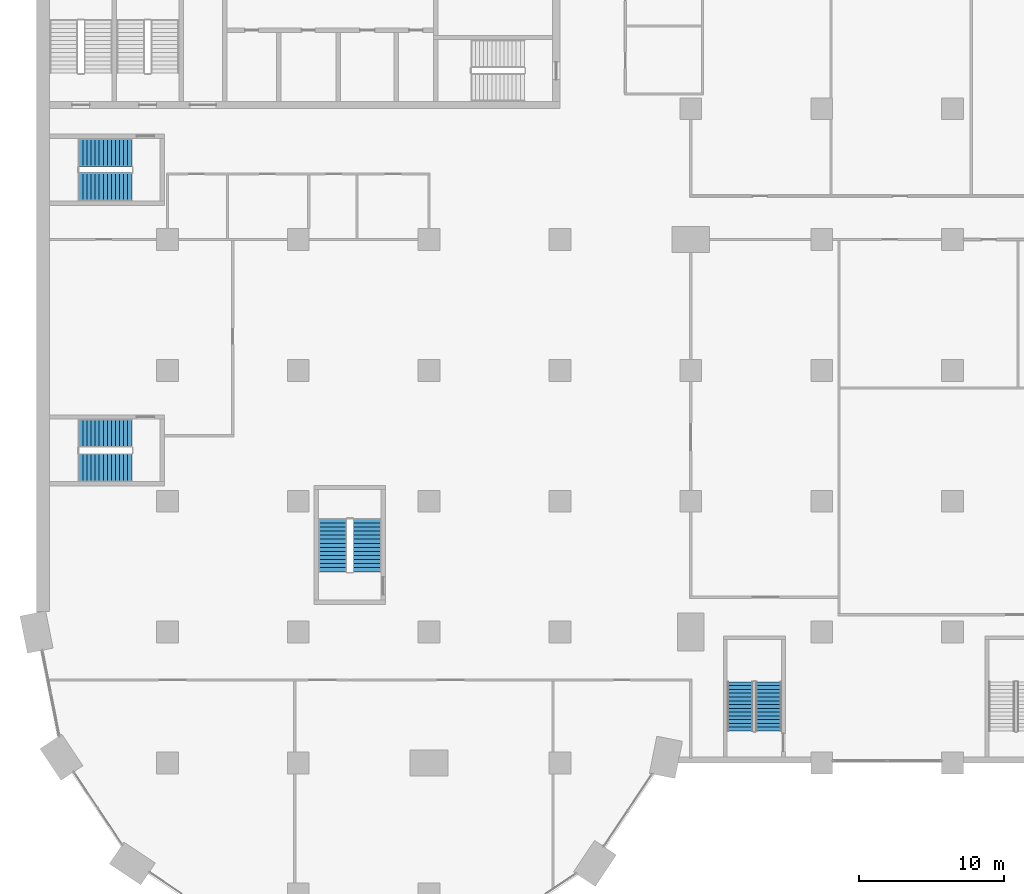
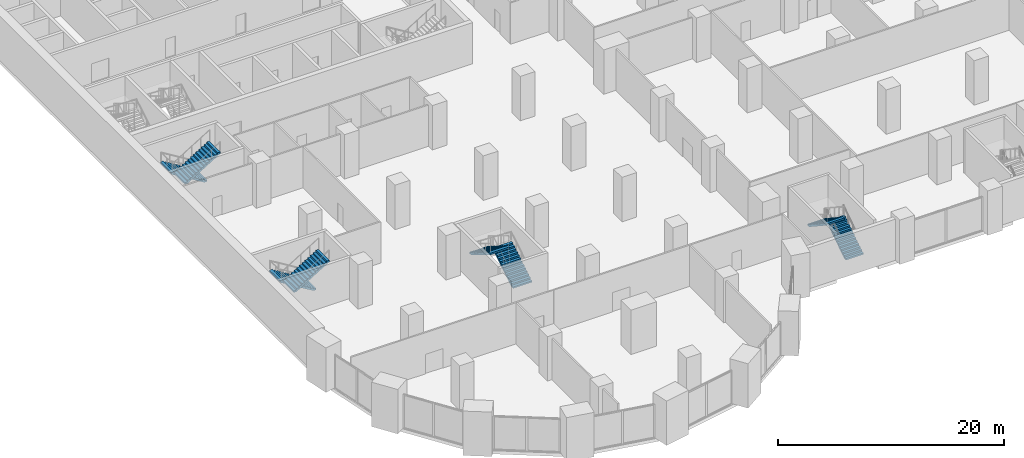
# One storey, part 21 of 31: 8 stair flights, 4 elements without a shape of their own.
"""IFC4 building model written with IfcOpenShell, lengths in metres."""

from ifc_helpers import new_model, si_unit, direction, frame, origin, place, context, subcontext, project, spatial, polyline, outline, extrude, material, type_object, element, aggregate, save


model = new_model("IFC4")

# Units and contexts
model_context = context("Model", 3, precision=1e-05, world=origin(), true_north=direction((0.0, 1.0)))
body_context = subcontext(model_context, "Body", "Model", "MODEL_VIEW")
ifc_project = project(units=[si_unit("LENGTHUNIT", "METRE"), si_unit("AREAUNIT", "SQUARE_METRE"), si_unit("VOLUMEUNIT", "CUBIC_METRE"), si_unit("PLANEANGLEUNIT", "RADIAN"), si_unit("MASSUNIT", "GRAM", prefix="KILO")], contexts=[model_context])

# Site, building, storey
site_placement = place(None, origin())
site = spatial("IfcSite", under=ifc_project, at=site_placement, CompositionType="ELEMENT")
building_placement = place(site_placement, origin())
building = spatial("IfcBuilding", under=site, at=building_placement, Name="Hunhe Ridgeline Campus", CompositionType="ELEMENT")
storey_placement = place(building_placement, frame((0.0, 0.0, 16.800048828125)))
storey = spatial("IfcBuildingStorey", under=building, at=storey_placement, Name="L03", CompositionType="ELEMENT", Elevation=16.800048828125)

# Stair, stair flights
ifc_material = material(Name="Concrete C40", Category="concrete")
stair_type_1 = type_object("IfcStairType", Name="Podium exit stair 1800", PredefinedType="HALF_TURN_STAIR", material=ifc_material)
stair_1_placement = place(storey_placement, origin())
stair_1 = element("IfcStair", 1, at=stair_1_placement, inside=storey, type_object=stair_type_1, Name="L03 podium stair PS1", PredefinedType="HALF_TURN_STAIR")
stair_flight_type_1 = type_object("IfcStairFlightType", Name="Podium stair flight 1800", PredefinedType="STRAIGHT", material=ifc_material)
stair_flight_1_placement = place(storey_placement, frame((50.35009765625, 20.199951171875, 0.0), z_axis=(0.0, 0.0, 1.0), x_axis=(0.0, 1.0, 0.0)))
stair_flight_1 = element("IfcStairFlight", 2, at=stair_flight_1_placement, type_object=stair_flight_type_1, Name="PS1 flight 1", NumberOfRisers=14, NumberOfTreads=13, PredefinedType="STRAIGHT", RiserHeight=0.171428571, TreadLength=0.26, context=body_context, shape_type="SweptSolid", body=[
    extrude(outline(polyline([(0.0, 0.0), (0.0, 0.17138671875), (0.260009765625, 0.17138671875), (0.260009765625, 0.3427734375), (0.52001953125, 0.3427734375), (0.52001953125, 0.514404296875), (0.780029296875, 0.514404296875), (0.780029296875, 0.685791015625), (1.0400390625, 0.685791015625), (1.0400390625, 0.857177734375), (1.300048828125, 0.857177734375), (1.300048828125, 1.028564453125), (1.56005859375, 1.028564453125), (1.56005859375, 1.199951171875), (1.820068359375, 1.199951171875), (1.820068359375, 1.371337890625), (2.080078125, 1.371337890625), (2.080078125, 1.54296875), (2.340087890625, 1.54296875), (2.340087890625, 1.71435546875), (2.60009765625, 1.71435546875), (2.60009765625, 1.8857421875), (2.860107421875, 1.8857421875), (2.860107421875, 2.05712890625), (3.1201171875, 2.05712890625), (3.1201171875, 2.228515625), (3.3798828125, 2.228515625), (3.3798828125, 2.39990234375), (3.3798828125, 2.049072265625), (0.272216796875, 0.0), (0.0, 0.0)])), frame((0.0, 0.89990234375, 0.0), z_axis=(0.0, -1.0, 0.0), x_axis=(1.0, 0.0, 0.0)), (0.0, 0.0, 1.0), 1.800048828125),
])
stair_flight_2_placement = place(storey_placement, frame((48.39990234375, 23.580078125, 2.39990234375), z_axis=(0.0, 0.0, 1.0), x_axis=(0.0, -1.0, 0.0)))
stair_flight_2 = element("IfcStairFlight", 3, at=stair_flight_2_placement, type_object=stair_flight_type_1, Name="PS1 flight 2", NumberOfRisers=14, NumberOfTreads=13, PredefinedType="STRAIGHT", RiserHeight=0.171428571, TreadLength=0.26, context=body_context, shape_type="SweptSolid", body=[
    extrude(outline(polyline([(0.0, 0.0), (0.0, 0.17138671875), (0.260009765625, 0.17138671875), (0.260009765625, 0.3427734375), (0.52001953125, 0.3427734375), (0.52001953125, 0.514404296875), (0.780029296875, 0.514404296875), (0.780029296875, 0.685791015625), (1.0400390625, 0.685791015625), (1.0400390625, 0.857177734375), (1.300048828125, 0.857177734375), (1.300048828125, 1.028564453125), (1.56005859375, 1.028564453125), (1.56005859375, 1.199951171875), (1.820068359375, 1.199951171875), (1.820068359375, 1.371337890625), (2.080078125, 1.371337890625), (2.080078125, 1.54296875), (2.340087890625, 1.54296875), (2.340087890625, 1.71435546875), (2.60009765625, 1.71435546875), (2.60009765625, 1.8857421875), (2.860107421875, 1.8857421875), (2.860107421875, 2.05712890625), (3.1201171875, 2.05712890625), (3.1201171875, 2.228515625), (3.3798828125, 2.228515625), (3.3798828125, 2.39990234375), (3.3798828125, 2.049072265625), (0.272216796875, 0.0), (0.0, 0.0)])), frame((0.0, 0.89990234375, 0.0), z_axis=(0.0, -1.0, 0.0), x_axis=(1.0, 0.0, 0.0)), (0.0, 0.0, 1.0), 1.800048828125),
])
aggregate(stair_1, [stair_flight_1, stair_flight_2])

stair_type_2 = type_object("IfcStairType", Name="Reinforced concrete dog-leg stair 1950 Concrete C40", PredefinedType="HALF_TURN_STAIR", material=ifc_material)
stair_2_placement = place(storey_placement, origin())
stair_2 = element("IfcStair", 4, at=stair_2_placement, inside=storey, type_object=stair_type_2, Name="L03 W3", PredefinedType="HALF_TURN_STAIR")
stair_flight_type_2 = type_object("IfcStairFlightType", Name="Reinforced concrete stair flight 1950 Concrete C40", PredefinedType="STRAIGHT", material=ifc_material)
stair_flight_3_placement = place(storey_placement, frame((22.72509765625, 31.14990234375, 0.0), z_axis=(0.0, 0.0, 1.0), x_axis=(0.0, 1.0, 0.0)))
stair_flight_3 = element("IfcStairFlight", 5, at=stair_flight_3_placement, type_object=stair_flight_type_2, Name="ST9 flight 1", NumberOfRisers=14, NumberOfTreads=13, PredefinedType="STRAIGHT", RiserHeight=0.171428571, TreadLength=0.28, context=body_context, shape_type="SweptSolid", body=[
    extrude(outline(polyline([(0.0, 0.0), (0.0, 0.17138671875), (0.280029296875, 0.17138671875), (0.280029296875, 0.3427734375), (0.56005859375, 0.3427734375), (0.56005859375, 0.514404296875), (0.840087890625, 0.514404296875), (0.840087890625, 0.685791015625), (1.1201171875, 0.685791015625), (1.1201171875, 0.857177734375), (1.39990234375, 0.857177734375), (1.39990234375, 1.028564453125), (1.679931640625, 1.028564453125), (1.679931640625, 1.199951171875), (1.9599609375, 1.199951171875), (1.9599609375, 1.371337890625), (2.239990234375, 1.371337890625), (2.239990234375, 1.54296875), (2.52001953125, 1.54296875), (2.52001953125, 1.71435546875), (2.800048828125, 1.71435546875), (2.800048828125, 1.8857421875), (3.080078125, 1.8857421875), (3.080078125, 2.05712890625), (3.360107421875, 2.05712890625), (3.360107421875, 2.228515625), (3.639892578125, 2.228515625), (3.639892578125, 2.39990234375), (3.639892578125, 2.052734375), (0.287109375, 0.0), (0.0, 0.0)])), frame((0.0, 0.97509765625, 0.0), z_axis=(0.0, -1.0, 0.0), x_axis=(1.0, 0.0, 0.0)), (0.0, 0.0, 1.0), 1.949951171875),
    extrude(outline(polyline([(0.030029296875, 0.030029296875), (0.030029296875, 0.141357421875), (0.31005859375, 0.141357421875), (0.31005859375, 0.31298828125), (0.590087890625, 0.31298828125), (0.590087890625, 0.484375), (0.8701171875, 0.484375), (0.8701171875, 0.65576171875), (1.14990234375, 0.65576171875), (1.14990234375, 0.8271484375), (1.429931640625, 0.8271484375), (1.429931640625, 0.99853515625), (1.7099609375, 0.99853515625), (1.7099609375, 1.169921875), (1.989990234375, 1.169921875), (1.989990234375, 1.34130859375), (2.27001953125, 1.34130859375), (2.27001953125, 1.512939453125), (2.550048828125, 1.512939453125), (2.550048828125, 1.684326171875), (2.830078125, 1.684326171875), (2.830078125, 1.855712890625), (3.110107421875, 1.855712890625), (3.110107421875, 2.027099609375), (3.389892578125, 2.027099609375), (3.389892578125, 2.198486328125), (3.610107421875, 2.198486328125), (3.610107421875, 2.069580078125), (0.278564453125, 0.030029296875), (0.030029296875, 0.030029296875)])), frame((0.0, -0.070068359375, 0.0), z_axis=(0.0, -1.0, 0.0), x_axis=(1.0, 0.0, 0.0)), (0.0, 0.0, 1.0), 0.019775390625),
    extrude(outline(polyline([(0.030029296875, 0.030029296875), (0.030029296875, 0.141357421875), (0.31005859375, 0.141357421875), (0.31005859375, 0.31298828125), (0.590087890625, 0.31298828125), (0.590087890625, 0.484375), (0.8701171875, 0.484375), (0.8701171875, 0.65576171875), (1.14990234375, 0.65576171875), (1.14990234375, 0.8271484375), (1.429931640625, 0.8271484375), (1.429931640625, 0.99853515625), (1.7099609375, 0.99853515625), (1.7099609375, 1.169921875), (1.989990234375, 1.169921875), (1.989990234375, 1.34130859375), (2.27001953125, 1.34130859375), (2.27001953125, 1.512939453125), (2.550048828125, 1.512939453125), (2.550048828125, 1.684326171875), (2.830078125, 1.684326171875), (2.830078125, 1.855712890625), (3.110107421875, 1.855712890625), (3.110107421875, 2.027099609375), (3.389892578125, 2.027099609375), (3.389892578125, 2.198486328125), (3.610107421875, 2.198486328125), (3.610107421875, 2.069580078125), (0.278564453125, 0.030029296875), (0.030029296875, 0.030029296875)])), frame((0.0, 0.010009765625, 0.0), z_axis=(0.0, -1.0, 0.0), x_axis=(1.0, 0.0, 0.0)), (0.0, 0.0, 1.0), 0.019775390625),
    extrude(outline(polyline([(0.030029296875, 0.030029296875), (0.030029296875, 0.141357421875), (0.31005859375, 0.141357421875), (0.31005859375, 0.31298828125), (0.590087890625, 0.31298828125), (0.590087890625, 0.484375), (0.8701171875, 0.484375), (0.8701171875, 0.65576171875), (1.14990234375, 0.65576171875), (1.14990234375, 0.8271484375), (1.429931640625, 0.8271484375), (1.429931640625, 0.99853515625), (1.7099609375, 0.99853515625), (1.7099609375, 1.169921875), (1.989990234375, 1.169921875), (1.989990234375, 1.34130859375), (2.27001953125, 1.34130859375), (2.27001953125, 1.512939453125), (2.550048828125, 1.512939453125), (2.550048828125, 1.684326171875), (2.830078125, 1.684326171875), (2.830078125, 1.855712890625), (3.110107421875, 1.855712890625), (3.110107421875, 2.027099609375), (3.389892578125, 2.027099609375), (3.389892578125, 2.198486328125), (3.610107421875, 2.198486328125), (3.610107421875, 2.069580078125), (0.278564453125, 0.030029296875), (0.030029296875, 0.030029296875)])), frame((0.0, 0.090087890625, 0.0), z_axis=(0.0, -1.0, 0.0), x_axis=(1.0, 0.0, 0.0)), (0.0, 0.0, 1.0), 0.019775390625),
])
stair_flight_4_placement = place(storey_placement, frame((20.375, 34.7900390625, 2.39990234375), z_axis=(0.0, 0.0, 1.0), x_axis=(0.0, -1.0, 0.0)))
stair_flight_4 = element("IfcStairFlight", 6, at=stair_flight_4_placement, type_object=stair_flight_type_2, Name="ST9 flight 2", NumberOfRisers=14, NumberOfTreads=13, PredefinedType="STRAIGHT", RiserHeight=0.171428571, TreadLength=0.28, context=body_context, shape_type="SweptSolid", body=[
    extrude(outline(polyline([(0.0, 0.0), (0.0, 0.17138671875), (0.280029296875, 0.17138671875), (0.280029296875, 0.3427734375), (0.56005859375, 0.3427734375), (0.56005859375, 0.514404296875), (0.840087890625, 0.514404296875), (0.840087890625, 0.685791015625), (1.1201171875, 0.685791015625), (1.1201171875, 0.857177734375), (1.39990234375, 0.857177734375), (1.39990234375, 1.028564453125), (1.679931640625, 1.028564453125), (1.679931640625, 1.199951171875), (1.9599609375, 1.199951171875), (1.9599609375, 1.371337890625), (2.239990234375, 1.371337890625), (2.239990234375, 1.54296875), (2.52001953125, 1.54296875), (2.52001953125, 1.71435546875), (2.800048828125, 1.71435546875), (2.800048828125, 1.8857421875), (3.080078125, 1.8857421875), (3.080078125, 2.05712890625), (3.360107421875, 2.05712890625), (3.360107421875, 2.228515625), (3.639892578125, 2.228515625), (3.639892578125, 2.39990234375), (3.639892578125, 2.052734375), (0.287109375, 0.0), (0.0, 0.0)])), frame((0.0, 0.97509765625, 0.0), z_axis=(0.0, -1.0, 0.0), x_axis=(1.0, 0.0, 0.0)), (0.0, 0.0, 1.0), 1.949951171875),
    extrude(outline(polyline([(0.030029296875, 0.030029296875), (0.030029296875, 0.141357421875), (0.31005859375, 0.141357421875), (0.31005859375, 0.31298828125), (0.590087890625, 0.31298828125), (0.590087890625, 0.484375), (0.8701171875, 0.484375), (0.8701171875, 0.65576171875), (1.14990234375, 0.65576171875), (1.14990234375, 0.8271484375), (1.429931640625, 0.8271484375), (1.429931640625, 0.99853515625), (1.7099609375, 0.99853515625), (1.7099609375, 1.169921875), (1.989990234375, 1.169921875), (1.989990234375, 1.34130859375), (2.27001953125, 1.34130859375), (2.27001953125, 1.512939453125), (2.550048828125, 1.512939453125), (2.550048828125, 1.684326171875), (2.830078125, 1.684326171875), (2.830078125, 1.855712890625), (3.110107421875, 1.855712890625), (3.110107421875, 2.027099609375), (3.389892578125, 2.027099609375), (3.389892578125, 2.198486328125), (3.610107421875, 2.198486328125), (3.610107421875, 2.069580078125), (0.278564453125, 0.030029296875), (0.030029296875, 0.030029296875)])), frame((0.0, -0.070068359375, 0.0), z_axis=(0.0, -1.0, 0.0), x_axis=(1.0, 0.0, 0.0)), (0.0, 0.0, 1.0), 0.019775390625),
    extrude(outline(polyline([(0.030029296875, 0.030029296875), (0.030029296875, 0.141357421875), (0.31005859375, 0.141357421875), (0.31005859375, 0.31298828125), (0.590087890625, 0.31298828125), (0.590087890625, 0.484375), (0.8701171875, 0.484375), (0.8701171875, 0.65576171875), (1.14990234375, 0.65576171875), (1.14990234375, 0.8271484375), (1.429931640625, 0.8271484375), (1.429931640625, 0.99853515625), (1.7099609375, 0.99853515625), (1.7099609375, 1.169921875), (1.989990234375, 1.169921875), (1.989990234375, 1.34130859375), (2.27001953125, 1.34130859375), (2.27001953125, 1.512939453125), (2.550048828125, 1.512939453125), (2.550048828125, 1.684326171875), (2.830078125, 1.684326171875), (2.830078125, 1.855712890625), (3.110107421875, 1.855712890625), (3.110107421875, 2.027099609375), (3.389892578125, 2.027099609375), (3.389892578125, 2.198486328125), (3.610107421875, 2.198486328125), (3.610107421875, 2.069580078125), (0.278564453125, 0.030029296875), (0.030029296875, 0.030029296875)])), frame((0.0, 0.010009765625, 0.0), z_axis=(0.0, -1.0, 0.0), x_axis=(1.0, 0.0, 0.0)), (0.0, 0.0, 1.0), 0.019775390625),
    extrude(outline(polyline([(0.030029296875, 0.030029296875), (0.030029296875, 0.141357421875), (0.31005859375, 0.141357421875), (0.31005859375, 0.31298828125), (0.590087890625, 0.31298828125), (0.590087890625, 0.484375), (0.8701171875, 0.484375), (0.8701171875, 0.65576171875), (1.14990234375, 0.65576171875), (1.14990234375, 0.8271484375), (1.429931640625, 0.8271484375), (1.429931640625, 0.99853515625), (1.7099609375, 0.99853515625), (1.7099609375, 1.169921875), (1.989990234375, 1.169921875), (1.989990234375, 1.34130859375), (2.27001953125, 1.34130859375), (2.27001953125, 1.512939453125), (2.550048828125, 1.512939453125), (2.550048828125, 1.684326171875), (2.830078125, 1.684326171875), (2.830078125, 1.855712890625), (3.110107421875, 1.855712890625), (3.110107421875, 2.027099609375), (3.389892578125, 2.027099609375), (3.389892578125, 2.198486328125), (3.610107421875, 2.198486328125), (3.610107421875, 2.069580078125), (0.278564453125, 0.030029296875), (0.030029296875, 0.030029296875)])), frame((0.0, 0.090087890625, 0.0), z_axis=(0.0, -1.0, 0.0), x_axis=(1.0, 0.0, 0.0)), (0.0, 0.0, 1.0), 0.019775390625),
])
aggregate(stair_2, [stair_flight_3, stair_flight_4])

stair_3_placement = place(storey_placement, origin())
stair_3 = element("IfcStair", 7, at=stair_3_placement, inside=storey, type_object=stair_type_2, Name="L03 W1", PredefinedType="HALF_TURN_STAIR")
stair_flight_5_placement = place(storey_placement, frame((6.550048828125, 40.675048828125, 0.0), z_axis=(0.0, 0.0, 1.0), x_axis=(-1.0, 0.0, 0.0)))
stair_flight_5 = element("IfcStairFlight", 8, at=stair_flight_5_placement, type_object=stair_flight_type_2, Name="ST11 flight 1", NumberOfRisers=14, NumberOfTreads=13, PredefinedType="STRAIGHT", RiserHeight=0.171428571, TreadLength=0.28, context=body_context, shape_type="SweptSolid", body=[
    extrude(outline(polyline([(0.0, 0.0), (0.0, 0.17138671875), (0.280029296875, 0.17138671875), (0.280029296875, 0.3427734375), (0.56005859375, 0.3427734375), (0.56005859375, 0.514404296875), (0.840087890625, 0.514404296875), (0.840087890625, 0.685791015625), (1.1201171875, 0.685791015625), (1.1201171875, 0.857177734375), (1.39990234375, 0.857177734375), (1.39990234375, 1.028564453125), (1.679931640625, 1.028564453125), (1.679931640625, 1.199951171875), (1.9599609375, 1.199951171875), (1.9599609375, 1.371337890625), (2.239990234375, 1.371337890625), (2.239990234375, 1.54296875), (2.52001953125, 1.54296875), (2.52001953125, 1.71435546875), (2.800048828125, 1.71435546875), (2.800048828125, 1.8857421875), (3.080078125, 1.8857421875), (3.080078125, 2.05712890625), (3.360107421875, 2.05712890625), (3.360107421875, 2.228515625), (3.639892578125, 2.228515625), (3.639892578125, 2.39990234375), (3.639892578125, 2.052734375), (0.287109375, 0.0), (0.0, 0.0)])), frame((0.0, 0.97509765625, 0.0), z_axis=(0.0, -1.0, 0.0), x_axis=(1.0, 0.0, 0.0)), (0.0, 0.0, 1.0), 1.949951171875),
    extrude(outline(polyline([(0.030029296875, 0.030029296875), (0.030029296875, 0.141357421875), (0.31005859375, 0.141357421875), (0.31005859375, 0.31298828125), (0.590087890625, 0.31298828125), (0.590087890625, 0.484375), (0.8701171875, 0.484375), (0.8701171875, 0.65576171875), (1.14990234375, 0.65576171875), (1.14990234375, 0.8271484375), (1.429931640625, 0.8271484375), (1.429931640625, 0.99853515625), (1.7099609375, 0.99853515625), (1.7099609375, 1.169921875), (1.989990234375, 1.169921875), (1.989990234375, 1.34130859375), (2.27001953125, 1.34130859375), (2.27001953125, 1.512939453125), (2.550048828125, 1.512939453125), (2.550048828125, 1.684326171875), (2.830078125, 1.684326171875), (2.830078125, 1.855712890625), (3.110107421875, 1.855712890625), (3.110107421875, 2.027099609375), (3.389892578125, 2.027099609375), (3.389892578125, 2.198486328125), (3.610107421875, 2.198486328125), (3.610107421875, 2.069580078125), (0.278564453125, 0.030029296875), (0.030029296875, 0.030029296875)])), frame((0.0, -0.070068359375, 0.0), z_axis=(0.0, -1.0, 0.0), x_axis=(1.0, 0.0, 0.0)), (0.0, 0.0, 1.0), 0.019775390625),
    extrude(outline(polyline([(0.030029296875, 0.030029296875), (0.030029296875, 0.141357421875), (0.31005859375, 0.141357421875), (0.31005859375, 0.31298828125), (0.590087890625, 0.31298828125), (0.590087890625, 0.484375), (0.8701171875, 0.484375), (0.8701171875, 0.65576171875), (1.14990234375, 0.65576171875), (1.14990234375, 0.8271484375), (1.429931640625, 0.8271484375), (1.429931640625, 0.99853515625), (1.7099609375, 0.99853515625), (1.7099609375, 1.169921875), (1.989990234375, 1.169921875), (1.989990234375, 1.34130859375), (2.27001953125, 1.34130859375), (2.27001953125, 1.512939453125), (2.550048828125, 1.512939453125), (2.550048828125, 1.684326171875), (2.830078125, 1.684326171875), (2.830078125, 1.855712890625), (3.110107421875, 1.855712890625), (3.110107421875, 2.027099609375), (3.389892578125, 2.027099609375), (3.389892578125, 2.198486328125), (3.610107421875, 2.198486328125), (3.610107421875, 2.069580078125), (0.278564453125, 0.030029296875), (0.030029296875, 0.030029296875)])), frame((0.0, 0.010009765625, 0.0), z_axis=(0.0, -1.0, 0.0), x_axis=(1.0, 0.0, 0.0)), (0.0, 0.0, 1.0), 0.019775390625),
    extrude(outline(polyline([(0.030029296875, 0.030029296875), (0.030029296875, 0.141357421875), (0.31005859375, 0.141357421875), (0.31005859375, 0.31298828125), (0.590087890625, 0.31298828125), (0.590087890625, 0.484375), (0.8701171875, 0.484375), (0.8701171875, 0.65576171875), (1.14990234375, 0.65576171875), (1.14990234375, 0.8271484375), (1.429931640625, 0.8271484375), (1.429931640625, 0.99853515625), (1.7099609375, 0.99853515625), (1.7099609375, 1.169921875), (1.989990234375, 1.169921875), (1.989990234375, 1.34130859375), (2.27001953125, 1.34130859375), (2.27001953125, 1.512939453125), (2.550048828125, 1.512939453125), (2.550048828125, 1.684326171875), (2.830078125, 1.684326171875), (2.830078125, 1.855712890625), (3.110107421875, 1.855712890625), (3.110107421875, 2.027099609375), (3.389892578125, 2.027099609375), (3.389892578125, 2.198486328125), (3.610107421875, 2.198486328125), (3.610107421875, 2.069580078125), (0.278564453125, 0.030029296875), (0.030029296875, 0.030029296875)])), frame((0.0, 0.090087890625, 0.0), z_axis=(0.0, -1.0, 0.0), x_axis=(1.0, 0.0, 0.0)), (0.0, 0.0, 1.0), 0.019775390625),
])
stair_flight_6_placement = place(storey_placement, frame((2.909912109375, 38.324951171875, 2.39990234375), z_axis=(0.0, 0.0, 1.0), x_axis=(1.0, 0.0, 0.0)))
stair_flight_6 = element("IfcStairFlight", 9, at=stair_flight_6_placement, type_object=stair_flight_type_2, Name="ST11 flight 2", NumberOfRisers=14, NumberOfTreads=13, PredefinedType="STRAIGHT", RiserHeight=0.171428571, TreadLength=0.28, context=body_context, shape_type="SweptSolid", body=[
    extrude(outline(polyline([(0.0, 0.0), (0.0, 0.17138671875), (0.280029296875, 0.17138671875), (0.280029296875, 0.3427734375), (0.56005859375, 0.3427734375), (0.56005859375, 0.514404296875), (0.840087890625, 0.514404296875), (0.840087890625, 0.685791015625), (1.1201171875, 0.685791015625), (1.1201171875, 0.857177734375), (1.39990234375, 0.857177734375), (1.39990234375, 1.028564453125), (1.679931640625, 1.028564453125), (1.679931640625, 1.199951171875), (1.9599609375, 1.199951171875), (1.9599609375, 1.371337890625), (2.239990234375, 1.371337890625), (2.239990234375, 1.54296875), (2.52001953125, 1.54296875), (2.52001953125, 1.71435546875), (2.800048828125, 1.71435546875), (2.800048828125, 1.8857421875), (3.080078125, 1.8857421875), (3.080078125, 2.05712890625), (3.360107421875, 2.05712890625), (3.360107421875, 2.228515625), (3.639892578125, 2.228515625), (3.639892578125, 2.39990234375), (3.639892578125, 2.052734375), (0.287109375, 0.0), (0.0, 0.0)])), frame((0.0, 0.97509765625, 0.0), z_axis=(0.0, -1.0, 0.0), x_axis=(1.0, 0.0, 0.0)), (0.0, 0.0, 1.0), 1.949951171875),
    extrude(outline(polyline([(0.030029296875, 0.030029296875), (0.030029296875, 0.141357421875), (0.31005859375, 0.141357421875), (0.31005859375, 0.31298828125), (0.590087890625, 0.31298828125), (0.590087890625, 0.484375), (0.8701171875, 0.484375), (0.8701171875, 0.65576171875), (1.14990234375, 0.65576171875), (1.14990234375, 0.8271484375), (1.429931640625, 0.8271484375), (1.429931640625, 0.99853515625), (1.7099609375, 0.99853515625), (1.7099609375, 1.169921875), (1.989990234375, 1.169921875), (1.989990234375, 1.34130859375), (2.27001953125, 1.34130859375), (2.27001953125, 1.512939453125), (2.550048828125, 1.512939453125), (2.550048828125, 1.684326171875), (2.830078125, 1.684326171875), (2.830078125, 1.855712890625), (3.110107421875, 1.855712890625), (3.110107421875, 2.027099609375), (3.389892578125, 2.027099609375), (3.389892578125, 2.198486328125), (3.610107421875, 2.198486328125), (3.610107421875, 2.069580078125), (0.278564453125, 0.030029296875), (0.030029296875, 0.030029296875)])), frame((0.0, -0.070068359375, 0.0), z_axis=(0.0, -1.0, 0.0), x_axis=(1.0, 0.0, 0.0)), (0.0, 0.0, 1.0), 0.019775390625),
    extrude(outline(polyline([(0.030029296875, 0.030029296875), (0.030029296875, 0.141357421875), (0.31005859375, 0.141357421875), (0.31005859375, 0.31298828125), (0.590087890625, 0.31298828125), (0.590087890625, 0.484375), (0.8701171875, 0.484375), (0.8701171875, 0.65576171875), (1.14990234375, 0.65576171875), (1.14990234375, 0.8271484375), (1.429931640625, 0.8271484375), (1.429931640625, 0.99853515625), (1.7099609375, 0.99853515625), (1.7099609375, 1.169921875), (1.989990234375, 1.169921875), (1.989990234375, 1.34130859375), (2.27001953125, 1.34130859375), (2.27001953125, 1.512939453125), (2.550048828125, 1.512939453125), (2.550048828125, 1.684326171875), (2.830078125, 1.684326171875), (2.830078125, 1.855712890625), (3.110107421875, 1.855712890625), (3.110107421875, 2.027099609375), (3.389892578125, 2.027099609375), (3.389892578125, 2.198486328125), (3.610107421875, 2.198486328125), (3.610107421875, 2.069580078125), (0.278564453125, 0.030029296875), (0.030029296875, 0.030029296875)])), frame((0.0, 0.010009765625, 0.0), z_axis=(0.0, -1.0, 0.0), x_axis=(1.0, 0.0, 0.0)), (0.0, 0.0, 1.0), 0.019775390625),
    extrude(outline(polyline([(0.030029296875, 0.030029296875), (0.030029296875, 0.141357421875), (0.31005859375, 0.141357421875), (0.31005859375, 0.31298828125), (0.590087890625, 0.31298828125), (0.590087890625, 0.484375), (0.8701171875, 0.484375), (0.8701171875, 0.65576171875), (1.14990234375, 0.65576171875), (1.14990234375, 0.8271484375), (1.429931640625, 0.8271484375), (1.429931640625, 0.99853515625), (1.7099609375, 0.99853515625), (1.7099609375, 1.169921875), (1.989990234375, 1.169921875), (1.989990234375, 1.34130859375), (2.27001953125, 1.34130859375), (2.27001953125, 1.512939453125), (2.550048828125, 1.512939453125), (2.550048828125, 1.684326171875), (2.830078125, 1.684326171875), (2.830078125, 1.855712890625), (3.110107421875, 1.855712890625), (3.110107421875, 2.027099609375), (3.389892578125, 2.027099609375), (3.389892578125, 2.198486328125), (3.610107421875, 2.198486328125), (3.610107421875, 2.069580078125), (0.278564453125, 0.030029296875), (0.030029296875, 0.030029296875)])), frame((0.0, 0.090087890625, 0.0), z_axis=(0.0, -1.0, 0.0), x_axis=(1.0, 0.0, 0.0)), (0.0, 0.0, 1.0), 0.019775390625),
])
aggregate(stair_3, [stair_flight_5, stair_flight_6])

stair_4_placement = place(storey_placement, origin())
stair_4 = element("IfcStair", 10, at=stair_4_placement, inside=storey, type_object=stair_type_2, Name="L03 W2", PredefinedType="HALF_TURN_STAIR")
stair_flight_7_placement = place(storey_placement, frame((6.550048828125, 59.97509765625, 0.0), z_axis=(0.0, 0.0, 1.0), x_axis=(-1.0, 0.0, 0.0)))
stair_flight_7 = element("IfcStairFlight", 11, at=stair_flight_7_placement, type_object=stair_flight_type_2, Name="ST12 flight 1", NumberOfRisers=14, NumberOfTreads=13, PredefinedType="STRAIGHT", RiserHeight=0.171428571, TreadLength=0.28, context=body_context, shape_type="SweptSolid", body=[
    extrude(outline(polyline([(0.0, 0.0), (0.0, 0.17138671875), (0.280029296875, 0.17138671875), (0.280029296875, 0.3427734375), (0.56005859375, 0.3427734375), (0.56005859375, 0.514404296875), (0.840087890625, 0.514404296875), (0.840087890625, 0.685791015625), (1.1201171875, 0.685791015625), (1.1201171875, 0.857177734375), (1.39990234375, 0.857177734375), (1.39990234375, 1.028564453125), (1.679931640625, 1.028564453125), (1.679931640625, 1.199951171875), (1.9599609375, 1.199951171875), (1.9599609375, 1.371337890625), (2.239990234375, 1.371337890625), (2.239990234375, 1.54296875), (2.52001953125, 1.54296875), (2.52001953125, 1.71435546875), (2.800048828125, 1.71435546875), (2.800048828125, 1.8857421875), (3.080078125, 1.8857421875), (3.080078125, 2.05712890625), (3.360107421875, 2.05712890625), (3.360107421875, 2.228515625), (3.639892578125, 2.228515625), (3.639892578125, 2.39990234375), (3.639892578125, 2.052734375), (0.287109375, 0.0), (0.0, 0.0)])), frame((0.0, 0.97509765625, 0.0), z_axis=(0.0, -1.0, 0.0), x_axis=(1.0, 0.0, 0.0)), (0.0, 0.0, 1.0), 1.949951171875),
    extrude(outline(polyline([(0.030029296875, 0.030029296875), (0.030029296875, 0.141357421875), (0.31005859375, 0.141357421875), (0.31005859375, 0.31298828125), (0.590087890625, 0.31298828125), (0.590087890625, 0.484375), (0.8701171875, 0.484375), (0.8701171875, 0.65576171875), (1.14990234375, 0.65576171875), (1.14990234375, 0.8271484375), (1.429931640625, 0.8271484375), (1.429931640625, 0.99853515625), (1.7099609375, 0.99853515625), (1.7099609375, 1.169921875), (1.989990234375, 1.169921875), (1.989990234375, 1.34130859375), (2.27001953125, 1.34130859375), (2.27001953125, 1.512939453125), (2.550048828125, 1.512939453125), (2.550048828125, 1.684326171875), (2.830078125, 1.684326171875), (2.830078125, 1.855712890625), (3.110107421875, 1.855712890625), (3.110107421875, 2.027099609375), (3.389892578125, 2.027099609375), (3.389892578125, 2.198486328125), (3.610107421875, 2.198486328125), (3.610107421875, 2.069580078125), (0.278564453125, 0.030029296875), (0.030029296875, 0.030029296875)])), frame((0.0, -0.070068359375, 0.0), z_axis=(0.0, -1.0, 0.0), x_axis=(1.0, 0.0, 0.0)), (0.0, 0.0, 1.0), 0.019775390625),
    extrude(outline(polyline([(0.030029296875, 0.030029296875), (0.030029296875, 0.141357421875), (0.31005859375, 0.141357421875), (0.31005859375, 0.31298828125), (0.590087890625, 0.31298828125), (0.590087890625, 0.484375), (0.8701171875, 0.484375), (0.8701171875, 0.65576171875), (1.14990234375, 0.65576171875), (1.14990234375, 0.8271484375), (1.429931640625, 0.8271484375), (1.429931640625, 0.99853515625), (1.7099609375, 0.99853515625), (1.7099609375, 1.169921875), (1.989990234375, 1.169921875), (1.989990234375, 1.34130859375), (2.27001953125, 1.34130859375), (2.27001953125, 1.512939453125), (2.550048828125, 1.512939453125), (2.550048828125, 1.684326171875), (2.830078125, 1.684326171875), (2.830078125, 1.855712890625), (3.110107421875, 1.855712890625), (3.110107421875, 2.027099609375), (3.389892578125, 2.027099609375), (3.389892578125, 2.198486328125), (3.610107421875, 2.198486328125), (3.610107421875, 2.069580078125), (0.278564453125, 0.030029296875), (0.030029296875, 0.030029296875)])), frame((0.0, 0.010009765625, 0.0), z_axis=(0.0, -1.0, 0.0), x_axis=(1.0, 0.0, 0.0)), (0.0, 0.0, 1.0), 0.019775390625),
    extrude(outline(polyline([(0.030029296875, 0.030029296875), (0.030029296875, 0.141357421875), (0.31005859375, 0.141357421875), (0.31005859375, 0.31298828125), (0.590087890625, 0.31298828125), (0.590087890625, 0.484375), (0.8701171875, 0.484375), (0.8701171875, 0.65576171875), (1.14990234375, 0.65576171875), (1.14990234375, 0.8271484375), (1.429931640625, 0.8271484375), (1.429931640625, 0.99853515625), (1.7099609375, 0.99853515625), (1.7099609375, 1.169921875), (1.989990234375, 1.169921875), (1.989990234375, 1.34130859375), (2.27001953125, 1.34130859375), (2.27001953125, 1.512939453125), (2.550048828125, 1.512939453125), (2.550048828125, 1.684326171875), (2.830078125, 1.684326171875), (2.830078125, 1.855712890625), (3.110107421875, 1.855712890625), (3.110107421875, 2.027099609375), (3.389892578125, 2.027099609375), (3.389892578125, 2.198486328125), (3.610107421875, 2.198486328125), (3.610107421875, 2.069580078125), (0.278564453125, 0.030029296875), (0.030029296875, 0.030029296875)])), frame((0.0, 0.090087890625, 0.0), z_axis=(0.0, -1.0, 0.0), x_axis=(1.0, 0.0, 0.0)), (0.0, 0.0, 1.0), 0.019775390625),
])
stair_flight_8_placement = place(storey_placement, frame((2.909912109375, 57.625, 2.39990234375), z_axis=(0.0, 0.0, 1.0), x_axis=(1.0, 0.0, 0.0)))
stair_flight_8 = element("IfcStairFlight", 12, at=stair_flight_8_placement, type_object=stair_flight_type_2, Name="ST12 flight 2", NumberOfRisers=14, NumberOfTreads=13, PredefinedType="STRAIGHT", RiserHeight=0.171428571, TreadLength=0.28, context=body_context, shape_type="SweptSolid", body=[
    extrude(outline(polyline([(0.0, 0.0), (0.0, 0.17138671875), (0.280029296875, 0.17138671875), (0.280029296875, 0.3427734375), (0.56005859375, 0.3427734375), (0.56005859375, 0.514404296875), (0.840087890625, 0.514404296875), (0.840087890625, 0.685791015625), (1.1201171875, 0.685791015625), (1.1201171875, 0.857177734375), (1.39990234375, 0.857177734375), (1.39990234375, 1.028564453125), (1.679931640625, 1.028564453125), (1.679931640625, 1.199951171875), (1.9599609375, 1.199951171875), (1.9599609375, 1.371337890625), (2.239990234375, 1.371337890625), (2.239990234375, 1.54296875), (2.52001953125, 1.54296875), (2.52001953125, 1.71435546875), (2.800048828125, 1.71435546875), (2.800048828125, 1.8857421875), (3.080078125, 1.8857421875), (3.080078125, 2.05712890625), (3.360107421875, 2.05712890625), (3.360107421875, 2.228515625), (3.639892578125, 2.228515625), (3.639892578125, 2.39990234375), (3.639892578125, 2.052734375), (0.287109375, 0.0), (0.0, 0.0)])), frame((0.0, 0.97509765625, 0.0), z_axis=(0.0, -1.0, 0.0), x_axis=(1.0, 0.0, 0.0)), (0.0, 0.0, 1.0), 1.949951171875),
    extrude(outline(polyline([(0.030029296875, 0.030029296875), (0.030029296875, 0.141357421875), (0.31005859375, 0.141357421875), (0.31005859375, 0.31298828125), (0.590087890625, 0.31298828125), (0.590087890625, 0.484375), (0.8701171875, 0.484375), (0.8701171875, 0.65576171875), (1.14990234375, 0.65576171875), (1.14990234375, 0.8271484375), (1.429931640625, 0.8271484375), (1.429931640625, 0.99853515625), (1.7099609375, 0.99853515625), (1.7099609375, 1.169921875), (1.989990234375, 1.169921875), (1.989990234375, 1.34130859375), (2.27001953125, 1.34130859375), (2.27001953125, 1.512939453125), (2.550048828125, 1.512939453125), (2.550048828125, 1.684326171875), (2.830078125, 1.684326171875), (2.830078125, 1.855712890625), (3.110107421875, 1.855712890625), (3.110107421875, 2.027099609375), (3.389892578125, 2.027099609375), (3.389892578125, 2.198486328125), (3.610107421875, 2.198486328125), (3.610107421875, 2.069580078125), (0.278564453125, 0.030029296875), (0.030029296875, 0.030029296875)])), frame((0.0, -0.070068359375, 0.0), z_axis=(0.0, -1.0, 0.0), x_axis=(1.0, 0.0, 0.0)), (0.0, 0.0, 1.0), 0.019775390625),
    extrude(outline(polyline([(0.030029296875, 0.030029296875), (0.030029296875, 0.141357421875), (0.31005859375, 0.141357421875), (0.31005859375, 0.31298828125), (0.590087890625, 0.31298828125), (0.590087890625, 0.484375), (0.8701171875, 0.484375), (0.8701171875, 0.65576171875), (1.14990234375, 0.65576171875), (1.14990234375, 0.8271484375), (1.429931640625, 0.8271484375), (1.429931640625, 0.99853515625), (1.7099609375, 0.99853515625), (1.7099609375, 1.169921875), (1.989990234375, 1.169921875), (1.989990234375, 1.34130859375), (2.27001953125, 1.34130859375), (2.27001953125, 1.512939453125), (2.550048828125, 1.512939453125), (2.550048828125, 1.684326171875), (2.830078125, 1.684326171875), (2.830078125, 1.855712890625), (3.110107421875, 1.855712890625), (3.110107421875, 2.027099609375), (3.389892578125, 2.027099609375), (3.389892578125, 2.198486328125), (3.610107421875, 2.198486328125), (3.610107421875, 2.069580078125), (0.278564453125, 0.030029296875), (0.030029296875, 0.030029296875)])), frame((0.0, 0.010009765625, 0.0), z_axis=(0.0, -1.0, 0.0), x_axis=(1.0, 0.0, 0.0)), (0.0, 0.0, 1.0), 0.019775390625),
    extrude(outline(polyline([(0.030029296875, 0.030029296875), (0.030029296875, 0.141357421875), (0.31005859375, 0.141357421875), (0.31005859375, 0.31298828125), (0.590087890625, 0.31298828125), (0.590087890625, 0.484375), (0.8701171875, 0.484375), (0.8701171875, 0.65576171875), (1.14990234375, 0.65576171875), (1.14990234375, 0.8271484375), (1.429931640625, 0.8271484375), (1.429931640625, 0.99853515625), (1.7099609375, 0.99853515625), (1.7099609375, 1.169921875), (1.989990234375, 1.169921875), (1.989990234375, 1.34130859375), (2.27001953125, 1.34130859375), (2.27001953125, 1.512939453125), (2.550048828125, 1.512939453125), (2.550048828125, 1.684326171875), (2.830078125, 1.684326171875), (2.830078125, 1.855712890625), (3.110107421875, 1.855712890625), (3.110107421875, 2.027099609375), (3.389892578125, 2.027099609375), (3.389892578125, 2.198486328125), (3.610107421875, 2.198486328125), (3.610107421875, 2.069580078125), (0.278564453125, 0.030029296875), (0.030029296875, 0.030029296875)])), frame((0.0, 0.090087890625, 0.0), z_axis=(0.0, -1.0, 0.0), x_axis=(1.0, 0.0, 0.0)), (0.0, 0.0, 1.0), 0.019775390625),
])
aggregate(stair_4, [stair_flight_7, stair_flight_8])

save(model, "model.ifc")
